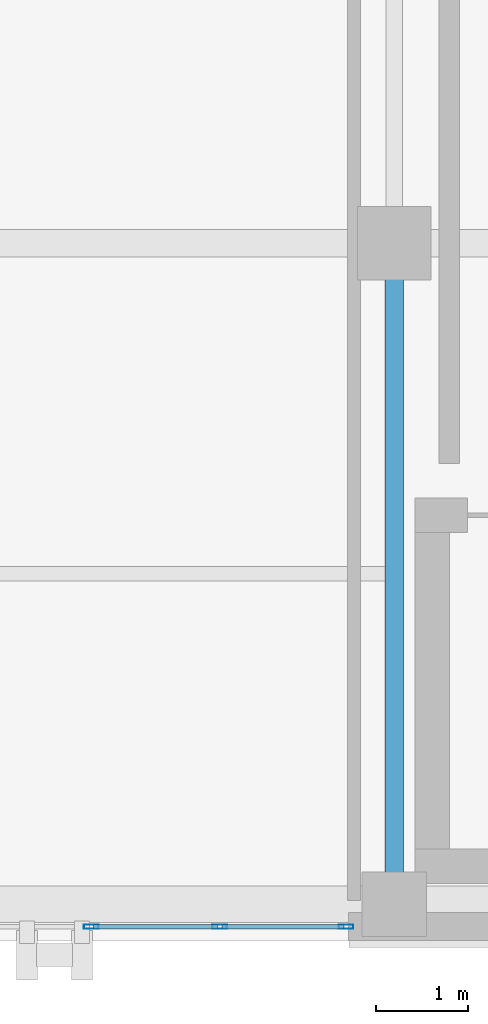
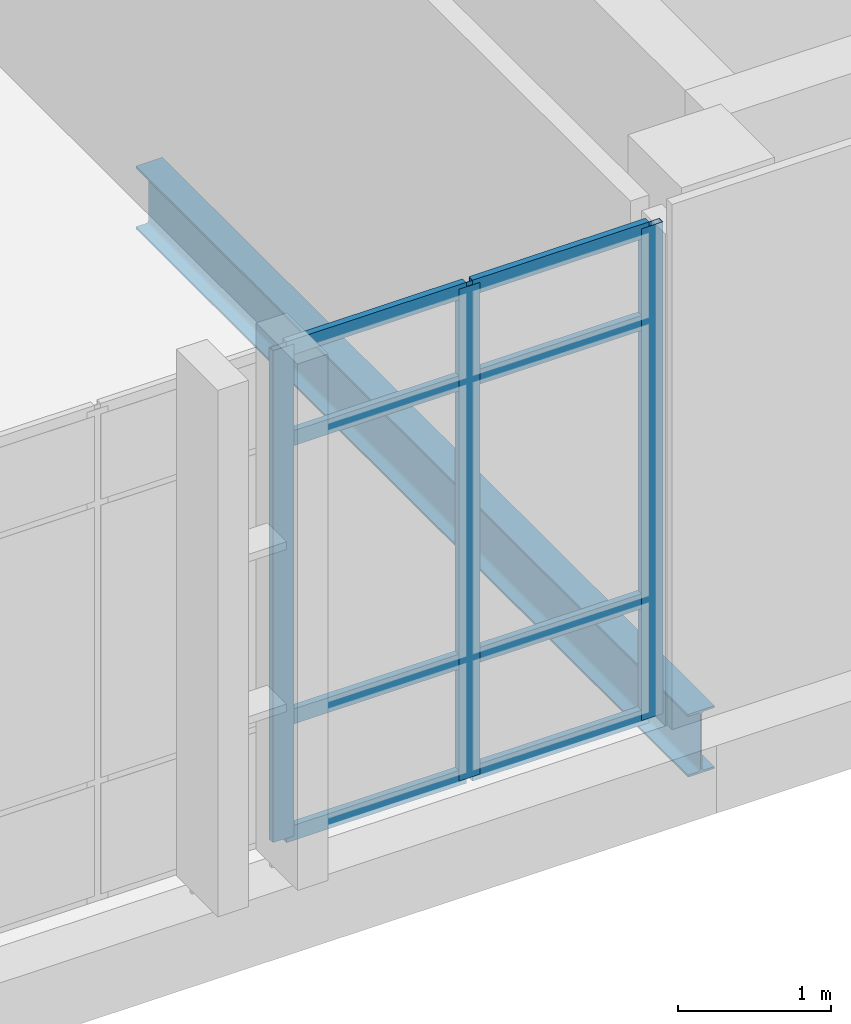
# One storey, part 50 of 193: 11 members, 1 beam, 1 element without a shape of its own.
"""IFC4 building model written with IfcOpenShell, lengths in metres."""

from ifc_helpers import new_model, si_unit, direction, frame, origin, origin_2d, place, context, subcontext, project, spatial, hollow_rectangle, i_section, extrude, material, layer, layer_set, material_profile, profile_set, type_object, element, aggregate, save


model = new_model("IFC4")

# Units and contexts
model_context = context("Model", 3, precision=1e-05, world=origin(), true_north=direction((0.0, 1.0)))
body_context = subcontext(model_context, "Body", "Model", "MODEL_VIEW")
ifc_project = project(units=[si_unit("LENGTHUNIT", "METRE"), si_unit("AREAUNIT", "SQUARE_METRE"), si_unit("VOLUMEUNIT", "CUBIC_METRE"), si_unit("PLANEANGLEUNIT", "RADIAN"), si_unit("MASSUNIT", "GRAM", prefix="KILO")], contexts=[model_context])

# Site, building, storey
site_placement = place(None, origin())
site = spatial("IfcSite", under=ifc_project, at=site_placement, CompositionType="ELEMENT")
building_placement = place(site_placement, origin())
building = spatial("IfcBuilding", under=site, at=building_placement, Name="Qalavern Law Courts", CompositionType="ELEMENT")
storey_placement = place(building_placement, frame((0.0, 0.0, 10.199951171875)))
storey = spatial("IfcBuildingStorey", under=building, at=storey_placement, Name="L02", CompositionType="ELEMENT", Elevation=10.199951171875)

# Curtain wall, members
ifc_material_1 = material(Name="Anodised aluminium and insulated glazing", Category="aluminium")
ifc_layer = layer(ifc_material_1, 0.172119140625)
ifc_layer_set = layer_set([ifc_layer], Name="Anodised aluminium and insulated glazing")
curtain_wall_type = type_object("IfcCurtainWallType", Name="ENV-CW-COURT", PredefinedType="USERDEFINED", material=ifc_layer_set)
curtain_wall_placement = place(storey_placement, origin())
curtain_wall = element("IfcCurtainWall", 1, at=curtain_wall_placement, inside=storey, type_object=curtain_wall_type, Name="V6 unitised curtain wall L02 south 2", ObjectType="UNITISED CURTAIN WALL", PredefinedType="USERDEFINED")
ifc_material_2 = material(Name="Anodised aluminium", Category="aluminium")
ifc_material_profile_1 = material_profile(ifc_material_2, hollow_rectangle(XDim=0.048095703125, YDim=0.159912109375, WallThickness=0.00390625, at=origin_2d()), Name="ALU MULLION 48x160")
ifc_profile_set_1 = profile_set([ifc_material_profile_1], Name="Anodised aluminium")
member_type_1 = type_object("IfcMemberType", Name="ENV-CWM-48x160", PredefinedType="MULLION", material=ifc_profile_set_1)
member_1_placement = place(storey_placement, frame((114.5, 1.155029296875, 0.0), z_axis=(0.0, 0.0, 1.0), x_axis=(0.0, 1.0, 0.0)))
member_1 = element("IfcMember", 2, at=member_1_placement, type_object=member_type_1, Name="CW-03 mullion 4", PredefinedType="MULLION", context=body_context, shape_type="SweptSolid", body=[
    extrude(hollow_rectangle(XDim=0.048095703125, YDim=0.159912109375, WallThickness=0.00390625, at=origin_2d()), origin(), (0.0, 0.0, 1.0), 3.9150390625),
])
member_2_placement = place(storey_placement, frame((115.89990234375, 1.155029296875, 0.0), z_axis=(0.0, 0.0, 1.0), x_axis=(0.0, 1.0, 0.0)))
member_2 = element("IfcMember", 3, at=member_2_placement, type_object=member_type_1, Name="CW-03 mullion 5", PredefinedType="MULLION", context=body_context, shape_type="SweptSolid", body=[
    extrude(hollow_rectangle(XDim=0.048095703125, YDim=0.159912109375, WallThickness=0.00390625, at=origin_2d()), origin(), (0.0, 0.0, 1.0), 3.9150390625),
])
member_3_placement = place(storey_placement, frame((117.27587890625, 1.155029296875, 0.0), z_axis=(0.0, 0.0, 1.0), x_axis=(0.0, 1.0, 0.0)))
member_3 = element("IfcMember", 4, at=member_3_placement, type_object=member_type_1, Name="CW-03 mullion 6", PredefinedType="MULLION", context=body_context, shape_type="SweptSolid", body=[
    extrude(hollow_rectangle(XDim=0.048095703125, YDim=0.159912109375, WallThickness=0.00390625, at=origin_2d()), origin(), (0.0, 0.0, 1.0), 3.9150390625),
])
ifc_material_profile_2 = material_profile(ifc_material_2, hollow_rectangle(XDim=0.048095703125, YDim=0.1201171875, WallThickness=0.00390625, at=origin_2d()), Name="ALU TRANSOM 48x120")
ifc_profile_set_2 = profile_set([ifc_material_profile_2], Name="Anodised aluminium")
member_type_2 = type_object("IfcMemberType", Name="ENV-CWT-48x120", PredefinedType="USERDEFINED", material=ifc_profile_set_2)
member_4_placement = place(storey_placement, frame((114.52392578125, 1.155029296875, 0.024169921875), z_axis=(1.0, 0.0, 0.0), x_axis=(0.0, 1.0, 0.0)))
member_4 = element("IfcMember", 5, at=member_4_placement, type_object=member_type_2, Name="CW-03 transom 4.1", ObjectType="TRANSOM", PredefinedType="USERDEFINED", context=body_context, shape_type="SweptSolid", body=[
    extrude(hollow_rectangle(XDim=0.048095703125, YDim=0.1201171875, WallThickness=0.00390625, at=origin_2d()), origin(), (0.0, 0.0, 1.0), 1.35205078125),
])
member_5_placement = place(storey_placement, frame((114.52392578125, 1.155029296875, 0.949951171875), z_axis=(1.0, 0.0, 0.0), x_axis=(0.0, 1.0, 0.0)))
member_5 = element("IfcMember", 6, at=member_5_placement, type_object=member_type_2, Name="CW-03 transom 4.2", ObjectType="TRANSOM", PredefinedType="USERDEFINED", context=body_context, shape_type="SweptSolid", body=[
    extrude(hollow_rectangle(XDim=0.048095703125, YDim=0.1201171875, WallThickness=0.00390625, at=origin_2d()), origin(), (0.0, 0.0, 1.0), 1.35205078125),
])
member_6_placement = place(storey_placement, frame((114.52392578125, 1.155029296875, 3.1650390625), z_axis=(1.0, 0.0, 0.0), x_axis=(0.0, 1.0, 0.0)))
member_6 = element("IfcMember", 7, at=member_6_placement, type_object=member_type_2, Name="CW-03 transom 4.3", ObjectType="TRANSOM", PredefinedType="USERDEFINED", context=body_context, shape_type="SweptSolid", body=[
    extrude(hollow_rectangle(XDim=0.048095703125, YDim=0.1201171875, WallThickness=0.00390625, at=origin_2d()), origin(), (0.0, 0.0, 1.0), 1.35205078125),
])
member_7_placement = place(storey_placement, frame((114.52392578125, 1.155029296875, 3.89111328125), z_axis=(1.0, 0.0, 0.0), x_axis=(0.0, 1.0, 0.0)))
member_7 = element("IfcMember", 8, at=member_7_placement, type_object=member_type_2, Name="CW-03 transom 4.4", ObjectType="TRANSOM", PredefinedType="USERDEFINED", context=body_context, shape_type="SweptSolid", body=[
    extrude(hollow_rectangle(XDim=0.048095703125, YDim=0.1201171875, WallThickness=0.00390625, at=origin_2d()), origin(), (0.0, 0.0, 1.0), 1.35205078125),
])
member_8_placement = place(storey_placement, frame((115.924072265625, 1.155029296875, 0.024169921875), z_axis=(1.0, 0.0, 0.0), x_axis=(0.0, 1.0, 0.0)))
member_8 = element("IfcMember", 9, at=member_8_placement, type_object=member_type_2, Name="CW-03 transom 5.1", ObjectType="TRANSOM", PredefinedType="USERDEFINED", context=body_context, shape_type="SweptSolid", body=[
    extrude(hollow_rectangle(XDim=0.048095703125, YDim=0.1201171875, WallThickness=0.00390625, at=origin_2d()), origin(), (0.0, 0.0, 1.0), 1.327880859375),
])
member_9_placement = place(storey_placement, frame((115.924072265625, 1.155029296875, 0.949951171875), z_axis=(1.0, 0.0, 0.0), x_axis=(0.0, 1.0, 0.0)))
member_9 = element("IfcMember", 10, at=member_9_placement, type_object=member_type_2, Name="CW-03 transom 5.2", ObjectType="TRANSOM", PredefinedType="USERDEFINED", context=body_context, shape_type="SweptSolid", body=[
    extrude(hollow_rectangle(XDim=0.048095703125, YDim=0.1201171875, WallThickness=0.00390625, at=origin_2d()), origin(), (0.0, 0.0, 1.0), 1.327880859375),
])
member_10_placement = place(storey_placement, frame((115.924072265625, 1.155029296875, 3.1650390625), z_axis=(1.0, 0.0, 0.0), x_axis=(0.0, 1.0, 0.0)))
member_10 = element("IfcMember", 11, at=member_10_placement, type_object=member_type_2, Name="CW-03 transom 5.3", ObjectType="TRANSOM", PredefinedType="USERDEFINED", context=body_context, shape_type="SweptSolid", body=[
    extrude(hollow_rectangle(XDim=0.048095703125, YDim=0.1201171875, WallThickness=0.00390625, at=origin_2d()), origin(), (0.0, 0.0, 1.0), 1.327880859375),
])
member_11_placement = place(storey_placement, frame((115.924072265625, 1.155029296875, 3.89111328125), z_axis=(1.0, 0.0, 0.0), x_axis=(0.0, 1.0, 0.0)))
member_11 = element("IfcMember", 12, at=member_11_placement, type_object=member_type_2, Name="CW-03 transom 5.4", ObjectType="TRANSOM", PredefinedType="USERDEFINED", context=body_context, shape_type="SweptSolid", body=[
    extrude(hollow_rectangle(XDim=0.048095703125, YDim=0.1201171875, WallThickness=0.00390625, at=origin_2d()), origin(), (0.0, 0.0, 1.0), 1.327880859375),
])
aggregate(curtain_wall, [member_1, member_2, member_3, member_4, member_5, member_6, member_7, member_8, member_9, member_10, member_11])

# Beam
ifc_material_3 = material(Name="Steel S355", Category="steel")
ifc_material_profile_3 = material_profile(ifc_material_3, i_section(OverallWidth=0.199951171875, OverallDepth=0.5, WebThickness=0.01025390625, FlangeThickness=0.01611328125, FilletRadius=0.02099609375, at=origin_2d()), Name="IPE 500")
ifc_profile_set_3 = profile_set([ifc_material_profile_3], Name="Steel S355")
beam_type = type_object("IfcBeamType", Name="STR-BM-IPE500", PredefinedType="BEAM", material=ifc_profile_set_3)
beam_placement = place(storey_placement, frame((117.800048828125, 1.39990234375, -0.5400390625), z_axis=(0.0, 1.0, 0.0), x_axis=(-1.0, 0.0, 0.0)))
element("IfcBeam", 13, at=beam_placement, inside=storey, type_object=beam_type, Name="V6 Y-beam 3-1 L02", PredefinedType="BEAM", context=body_context, shape_type="SweptSolid", body=[
    extrude(i_section(OverallWidth=0.199951171875, OverallDepth=0.5, WebThickness=0.01025390625, FlangeThickness=0.01611328125, FilletRadius=0.02099609375, at=origin_2d()), origin(), (0.0, 0.0, 1.0), 7.2001953125),
])

save(model, "model.ifc")
